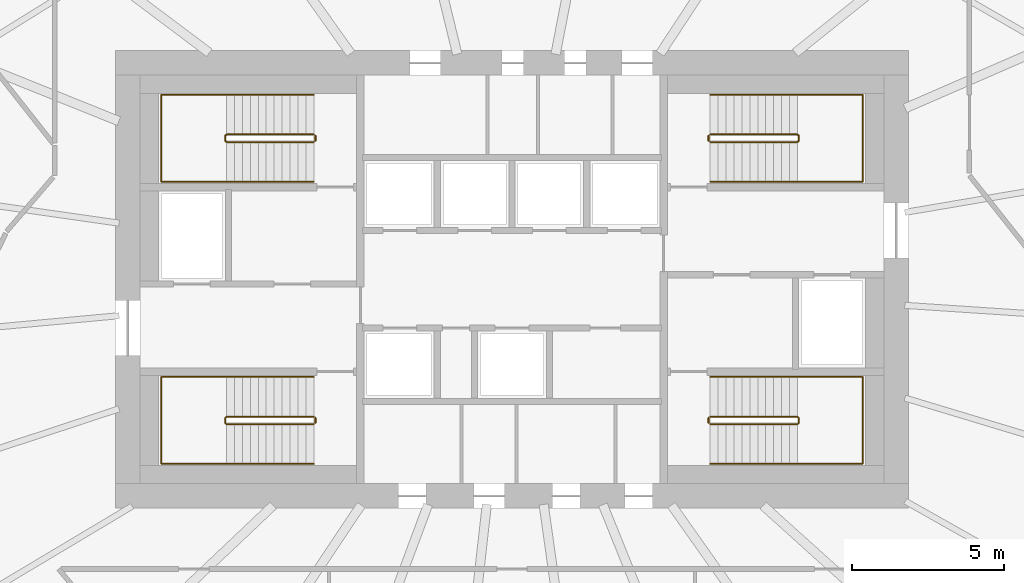
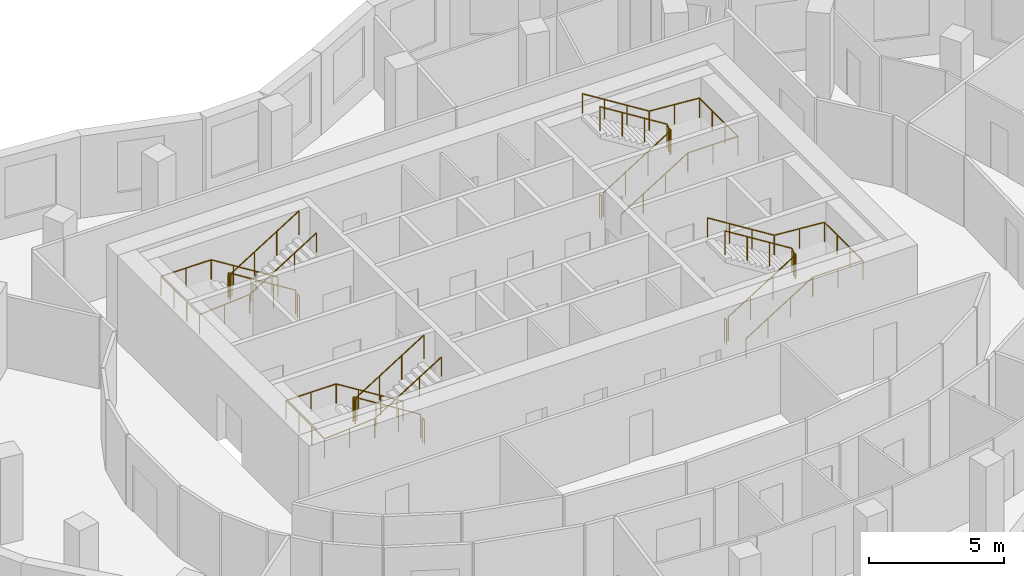
# One storey, part 9 of 9: 12 railings.
"""IFC4 building model written with IfcOpenShell, lengths in metres."""

from ifc_helpers import new_model, si_unit, direction, frame, origin, origin_2d, place, context, subcontext, project, spatial, circle, extrude, material, type_object, element, save


model = new_model("IFC4")

# Units and contexts
model_context = context("Model", 3, precision=1e-05, world=origin(), true_north=direction((0.0, 1.0)))
body_context = subcontext(model_context, "Body", "Model", "MODEL_VIEW")
ifc_project = project(units=[si_unit("LENGTHUNIT", "METRE"), si_unit("AREAUNIT", "SQUARE_METRE"), si_unit("VOLUMEUNIT", "CUBIC_METRE"), si_unit("PLANEANGLEUNIT", "RADIAN"), si_unit("MASSUNIT", "GRAM", prefix="KILO")], contexts=[model_context])

# Site, building, storey
site_placement = place(None, origin())
site = spatial("IfcSite", under=ifc_project, at=site_placement, CompositionType="ELEMENT")
building_placement = place(site_placement, origin())
building = spatial("IfcBuilding", under=site, at=building_placement, Name="Rubra Terraces Tower", CompositionType="ELEMENT")
storey_placement = place(building_placement, frame((0.0, 0.0, 284.39990234375)))
storey = spatial("IfcBuildingStorey", under=building, at=storey_placement, Name="L70", CompositionType="ELEMENT", Elevation=284.39990234375)

# Railings
ifc_material = material(Name="Stainless steel", Category="steel")
railing_type_1 = type_object("IfcRailingType", Name="Core stair guard 1100", PredefinedType="GUARDRAIL", material=ifc_material)
railing_1_placement = place(storey_placement, frame((-6.5, 0.0, 0.16259765625)))
element("IfcRailing", 1, at=railing_1_placement, inside=storey, type_object=railing_type_1, Name="L70 stair S1 guard 1", PredefinedType="GUARDRAIL", context=body_context, shape_type="SweptSolid", body=[
    extrude(circle(Radius=0.02392578125, at=origin_2d()), frame((0.0, 0.0, 1.076171875), z_axis=(-0.847994237388, 0.0, 0.530005446535), x_axis=(0.0, -1.0, 0.0)), (0.0, 0.0, 1.0), 3.372802734375),
    extrude(circle(Radius=0.02392578125, at=origin_2d()), frame((-2.860107421875, 0.0, 2.86376953125), z_axis=(-0.705375805398, -0.708833529934, 0.0), x_axis=(0.708833529934, -0.705375805398, 0.0)), (0.0, 0.0, 1.0), 0.070556640625),
    extrude(circle(Radius=0.02392578125, at=origin_2d()), frame((-2.909912109375, -0.050048828125, 2.86376953125), z_axis=(0.0, -1.0, 0.0), x_axis=(1.0, 0.0, 0.0)), (0.0, 0.0, 1.0), 0.14990234375),
    extrude(circle(Radius=0.02392578125, at=origin_2d()), frame((-2.909912109375, -0.199951171875, 2.86376953125), z_axis=(0.281314826061, -0.282693820306, 0.917031173188), x_axis=(0.708833529934, 0.705375805398, 0.0)), (0.0, 0.0, 1.0), 0.177001953125),
    extrude(circle(Radius=0.02392578125, at=origin_2d()), frame((-2.860107421875, -0.25, 3.02587890625), z_axis=(0.847994237388, 0.0, 0.530005446535), x_axis=(0.0, 1.0, 0.0)), (0.0, 0.0, 1.0), 3.372802734375),
    extrude(circle(Radius=0.02099609375, at=origin_2d()), origin(), (0.0, 0.0, 1.0), 1.052001953125),
    extrude(circle(Radius=0.02099609375, at=origin_2d()), frame((-0.953369140625, 0.0, 0.595947265625)), (0.0, 0.0, 1.0), 1.052001953125),
    extrude(circle(Radius=0.02099609375, at=origin_2d()), frame((-1.90673828125, 0.0, 1.191650390625)), (0.0, 0.0, 1.0), 1.052001953125),
    extrude(circle(Radius=0.02099609375, at=origin_2d()), frame((-2.860107421875, 0.0, 1.78759765625)), (0.0, 0.0, 1.0), 1.052001953125),
    extrude(circle(Radius=0.02099609375, at=origin_2d()), frame((-2.909912109375, -0.050048828125, 1.78759765625)), (0.0, 0.0, 1.0), 1.052001953125),
    extrude(circle(Radius=0.02099609375, at=origin_2d()), frame((-2.909912109375, -0.199951171875, 1.78759765625)), (0.0, 0.0, 1.0), 1.052001953125),
    extrude(circle(Radius=0.02099609375, at=origin_2d()), frame((-2.860107421875, -0.25, 1.949951171875)), (0.0, 0.0, 1.0), 1.052001953125),
    extrude(circle(Radius=0.02099609375, at=origin_2d()), frame((-1.90673828125, -0.25, 2.5458984375)), (0.0, 0.0, 1.0), 1.052001953125),
    extrude(circle(Radius=0.02099609375, at=origin_2d()), frame((-0.953369140625, -0.25, 3.1416015625)), (0.0, 0.0, 1.0), 1.052001953125),
    extrude(circle(Radius=0.02099609375, at=origin_2d()), frame((0.0, -0.25, 3.737548828125)), (0.0, 0.0, 1.0), 1.052001953125),
])
railing_2_placement = place(storey_placement, frame((-6.449951171875, -0.050048828125, 0.0)))
element("IfcRailing", 2, at=railing_2_placement, inside=storey, type_object=railing_type_1, Name="L70 stair S1 guard 2", PredefinedType="GUARDRAIL", context=body_context, shape_type="SweptSolid", body=[
    extrude(circle(Radius=0.02392578125, at=origin_2d()), frame((0.0, 0.0, 1.076171875), z_axis=(0.0, -1.0, 0.0), x_axis=(1.0, 0.0, 0.0)), (0.0, 0.0, 1.0), 0.14990234375),
    extrude(circle(Radius=0.02099609375, at=origin_2d()), origin(), (0.0, 0.0, 1.0), 1.052001953125),
    extrude(circle(Radius=0.02099609375, at=origin_2d()), frame((0.0, -0.14990234375, 0.0)), (0.0, 0.0, 1.0), 1.052001953125),
])
railing_3_placement = place(storey_placement, frame((-6.5, 9.25, 0.16259765625)))
element("IfcRailing", 3, at=railing_3_placement, inside=storey, type_object=railing_type_1, Name="L70 stair S2 guard 1", PredefinedType="GUARDRAIL", context=body_context, shape_type="SweptSolid", body=[
    extrude(circle(Radius=0.02392578125, at=origin_2d()), frame((0.0, 0.0, 1.076171875), z_axis=(-0.847994237388, 0.0, 0.530005446535), x_axis=(0.0, -1.0, 0.0)), (0.0, 0.0, 1.0), 3.372802734375),
    extrude(circle(Radius=0.02392578125, at=origin_2d()), frame((-2.860107421875, 0.0, 2.86376953125), z_axis=(-0.705375805398, -0.708833529934, 0.0), x_axis=(0.708833529934, -0.705375805398, 0.0)), (0.0, 0.0, 1.0), 0.070556640625),
    extrude(circle(Radius=0.02392578125, at=origin_2d()), frame((-2.909912109375, -0.050048828125, 2.86376953125), z_axis=(0.0, -1.0, 0.0), x_axis=(1.0, 0.0, 0.0)), (0.0, 0.0, 1.0), 0.14990234375),
    extrude(circle(Radius=0.02392578125, at=origin_2d()), frame((-2.909912109375, -0.199951171875, 2.86376953125), z_axis=(0.281314826061, -0.282693820306, 0.917031173188), x_axis=(0.708833529934, 0.705375805398, 0.0)), (0.0, 0.0, 1.0), 0.177001953125),
    extrude(circle(Radius=0.02392578125, at=origin_2d()), frame((-2.860107421875, -0.25, 3.02587890625), z_axis=(0.847994237388, 0.0, 0.530005446535), x_axis=(0.0, 1.0, 0.0)), (0.0, 0.0, 1.0), 3.372802734375),
    extrude(circle(Radius=0.02099609375, at=origin_2d()), origin(), (0.0, 0.0, 1.0), 1.052001953125),
    extrude(circle(Radius=0.02099609375, at=origin_2d()), frame((-0.953369140625, 0.0, 0.595947265625)), (0.0, 0.0, 1.0), 1.052001953125),
    extrude(circle(Radius=0.02099609375, at=origin_2d()), frame((-1.90673828125, 0.0, 1.191650390625)), (0.0, 0.0, 1.0), 1.052001953125),
    extrude(circle(Radius=0.02099609375, at=origin_2d()), frame((-2.860107421875, 0.0, 1.78759765625)), (0.0, 0.0, 1.0), 1.052001953125),
    extrude(circle(Radius=0.02099609375, at=origin_2d()), frame((-2.909912109375, -0.050048828125, 1.78759765625)), (0.0, 0.0, 1.0), 1.052001953125),
    extrude(circle(Radius=0.02099609375, at=origin_2d()), frame((-2.909912109375, -0.199951171875, 1.78759765625)), (0.0, 0.0, 1.0), 1.052001953125),
    extrude(circle(Radius=0.02099609375, at=origin_2d()), frame((-2.860107421875, -0.25, 1.949951171875)), (0.0, 0.0, 1.0), 1.052001953125),
    extrude(circle(Radius=0.02099609375, at=origin_2d()), frame((-1.90673828125, -0.25, 2.5458984375)), (0.0, 0.0, 1.0), 1.052001953125),
    extrude(circle(Radius=0.02099609375, at=origin_2d()), frame((-0.953369140625, -0.25, 3.1416015625)), (0.0, 0.0, 1.0), 1.052001953125),
    extrude(circle(Radius=0.02099609375, at=origin_2d()), frame((0.0, -0.25, 3.737548828125)), (0.0, 0.0, 1.0), 1.052001953125),
])
railing_4_placement = place(storey_placement, frame((-6.449951171875, 9.199951171875, 0.0)))
element("IfcRailing", 4, at=railing_4_placement, inside=storey, type_object=railing_type_1, Name="L70 stair S2 guard 2", PredefinedType="GUARDRAIL", context=body_context, shape_type="SweptSolid", body=[
    extrude(circle(Radius=0.02392578125, at=origin_2d()), frame((0.0, 0.0, 1.076171875), z_axis=(0.0, -1.0, 0.0), x_axis=(1.0, 0.0, 0.0)), (0.0, 0.0, 1.0), 0.14990234375),
    extrude(circle(Radius=0.02099609375, at=origin_2d()), origin(), (0.0, 0.0, 1.0), 1.052001953125),
    extrude(circle(Radius=0.02099609375, at=origin_2d()), frame((0.0, -0.14990234375, 0.0)), (0.0, 0.0, 1.0), 1.052001953125),
])
railing_5_placement = place(storey_placement, frame((6.5, 9.0, 0.16259765625)))
element("IfcRailing", 5, at=railing_5_placement, inside=storey, type_object=railing_type_1, Name="L70 stair S3 guard 1", PredefinedType="GUARDRAIL", context=body_context, shape_type="SweptSolid", body=[
    extrude(circle(Radius=0.02392578125, at=origin_2d()), frame((0.0, 0.0, 1.076171875), z_axis=(0.847994237388, 0.0, 0.530005446535), x_axis=(0.0, 1.0, 0.0)), (0.0, 0.0, 1.0), 3.372802734375),
    extrude(circle(Radius=0.02392578125, at=origin_2d()), frame((2.860107421875, 0.0, 2.86376953125), z_axis=(0.705375805398, 0.708833529934, 0.0), x_axis=(-0.708833529934, 0.705375805398, 0.0)), (0.0, 0.0, 1.0), 0.070556640625),
    extrude(circle(Radius=0.02392578125, at=origin_2d()), frame((2.909912109375, 0.050048828125, 2.86376953125), z_axis=(0.0, 1.0, 0.0), x_axis=(-1.0, 0.0, 0.0)), (0.0, 0.0, 1.0), 0.14990234375),
    extrude(circle(Radius=0.02392578125, at=origin_2d()), frame((2.909912109375, 0.199951171875, 2.86376953125), z_axis=(-0.281314826061, 0.282693820306, 0.917031173188), x_axis=(-0.708833529934, -0.705375805398, 0.0)), (0.0, 0.0, 1.0), 0.177001953125),
    extrude(circle(Radius=0.02392578125, at=origin_2d()), frame((2.860107421875, 0.25, 3.02587890625), z_axis=(-0.847994237388, 0.0, 0.530005446535), x_axis=(0.0, -1.0, 0.0)), (0.0, 0.0, 1.0), 3.372802734375),
    extrude(circle(Radius=0.02099609375, at=origin_2d()), origin(), (0.0, 0.0, 1.0), 1.052001953125),
    extrude(circle(Radius=0.02099609375, at=origin_2d()), frame((0.953369140625, 0.0, 0.595947265625)), (0.0, 0.0, 1.0), 1.052001953125),
    extrude(circle(Radius=0.02099609375, at=origin_2d()), frame((1.90673828125, 0.0, 1.191650390625)), (0.0, 0.0, 1.0), 1.052001953125),
    extrude(circle(Radius=0.02099609375, at=origin_2d()), frame((2.860107421875, 0.0, 1.78759765625)), (0.0, 0.0, 1.0), 1.052001953125),
    extrude(circle(Radius=0.02099609375, at=origin_2d()), frame((2.909912109375, 0.050048828125, 1.78759765625)), (0.0, 0.0, 1.0), 1.052001953125),
    extrude(circle(Radius=0.02099609375, at=origin_2d()), frame((2.909912109375, 0.199951171875, 1.78759765625)), (0.0, 0.0, 1.0), 1.052001953125),
    extrude(circle(Radius=0.02099609375, at=origin_2d()), frame((2.860107421875, 0.25, 1.949951171875)), (0.0, 0.0, 1.0), 1.052001953125),
    extrude(circle(Radius=0.02099609375, at=origin_2d()), frame((1.90673828125, 0.25, 2.5458984375)), (0.0, 0.0, 1.0), 1.052001953125),
    extrude(circle(Radius=0.02099609375, at=origin_2d()), frame((0.953369140625, 0.25, 3.1416015625)), (0.0, 0.0, 1.0), 1.052001953125),
    extrude(circle(Radius=0.02099609375, at=origin_2d()), frame((0.0, 0.25, 3.737548828125)), (0.0, 0.0, 1.0), 1.052001953125),
])
railing_6_placement = place(storey_placement, frame((6.449951171875, 9.050048828125, 0.0)))
element("IfcRailing", 6, at=railing_6_placement, inside=storey, type_object=railing_type_1, Name="L70 stair S3 guard 2", PredefinedType="GUARDRAIL", context=body_context, shape_type="SweptSolid", body=[
    extrude(circle(Radius=0.02392578125, at=origin_2d()), frame((0.0, 0.0, 1.076171875), z_axis=(0.0, 1.0, 0.0), x_axis=(-1.0, 0.0, 0.0)), (0.0, 0.0, 1.0), 0.14990234375),
    extrude(circle(Radius=0.02099609375, at=origin_2d()), origin(), (0.0, 0.0, 1.0), 1.052001953125),
    extrude(circle(Radius=0.02099609375, at=origin_2d()), frame((0.0, 0.14990234375, 0.0)), (0.0, 0.0, 1.0), 1.052001953125),
])
railing_7_placement = place(storey_placement, frame((6.5, -0.25, 0.16259765625)))
element("IfcRailing", 7, at=railing_7_placement, inside=storey, type_object=railing_type_1, Name="L70 stair S4 guard 1", PredefinedType="GUARDRAIL", context=body_context, shape_type="SweptSolid", body=[
    extrude(circle(Radius=0.02392578125, at=origin_2d()), frame((0.0, 0.0, 1.076171875), z_axis=(0.847994237388, 0.0, 0.530005446535), x_axis=(0.0, 1.0, 0.0)), (0.0, 0.0, 1.0), 3.372802734375),
    extrude(circle(Radius=0.02392578125, at=origin_2d()), frame((2.860107421875, 0.0, 2.86376953125), z_axis=(0.705375805398, 0.708833529934, 0.0), x_axis=(-0.708833529934, 0.705375805398, 0.0)), (0.0, 0.0, 1.0), 0.070556640625),
    extrude(circle(Radius=0.02392578125, at=origin_2d()), frame((2.909912109375, 0.050048828125, 2.86376953125), z_axis=(0.0, 1.0, 0.0), x_axis=(-1.0, 0.0, 0.0)), (0.0, 0.0, 1.0), 0.14990234375),
    extrude(circle(Radius=0.02392578125, at=origin_2d()), frame((2.909912109375, 0.199951171875, 2.86376953125), z_axis=(-0.281314826061, 0.282693820306, 0.917031173188), x_axis=(-0.708833529934, -0.705375805398, 0.0)), (0.0, 0.0, 1.0), 0.177001953125),
    extrude(circle(Radius=0.02392578125, at=origin_2d()), frame((2.860107421875, 0.25, 3.02587890625), z_axis=(-0.847994237388, 0.0, 0.530005446535), x_axis=(0.0, -1.0, 0.0)), (0.0, 0.0, 1.0), 3.372802734375),
    extrude(circle(Radius=0.02099609375, at=origin_2d()), origin(), (0.0, 0.0, 1.0), 1.052001953125),
    extrude(circle(Radius=0.02099609375, at=origin_2d()), frame((0.953369140625, 0.0, 0.595947265625)), (0.0, 0.0, 1.0), 1.052001953125),
    extrude(circle(Radius=0.02099609375, at=origin_2d()), frame((1.90673828125, 0.0, 1.191650390625)), (0.0, 0.0, 1.0), 1.052001953125),
    extrude(circle(Radius=0.02099609375, at=origin_2d()), frame((2.860107421875, 0.0, 1.78759765625)), (0.0, 0.0, 1.0), 1.052001953125),
    extrude(circle(Radius=0.02099609375, at=origin_2d()), frame((2.909912109375, 0.050048828125, 1.78759765625)), (0.0, 0.0, 1.0), 1.052001953125),
    extrude(circle(Radius=0.02099609375, at=origin_2d()), frame((2.909912109375, 0.199951171875, 1.78759765625)), (0.0, 0.0, 1.0), 1.052001953125),
    extrude(circle(Radius=0.02099609375, at=origin_2d()), frame((2.860107421875, 0.25, 1.949951171875)), (0.0, 0.0, 1.0), 1.052001953125),
    extrude(circle(Radius=0.02099609375, at=origin_2d()), frame((1.90673828125, 0.25, 2.5458984375)), (0.0, 0.0, 1.0), 1.052001953125),
    extrude(circle(Radius=0.02099609375, at=origin_2d()), frame((0.953369140625, 0.25, 3.1416015625)), (0.0, 0.0, 1.0), 1.052001953125),
    extrude(circle(Radius=0.02099609375, at=origin_2d()), frame((0.0, 0.25, 3.737548828125)), (0.0, 0.0, 1.0), 1.052001953125),
])
railing_8_placement = place(storey_placement, frame((6.449951171875, -0.199951171875, 0.0)))
element("IfcRailing", 8, at=railing_8_placement, inside=storey, type_object=railing_type_1, Name="L70 stair S4 guard 2", PredefinedType="GUARDRAIL", context=body_context, shape_type="SweptSolid", body=[
    extrude(circle(Radius=0.02392578125, at=origin_2d()), frame((0.0, 0.0, 1.076171875), z_axis=(0.0, 1.0, 0.0), x_axis=(-1.0, 0.0, 0.0)), (0.0, 0.0, 1.0), 0.14990234375),
    extrude(circle(Radius=0.02099609375, at=origin_2d()), origin(), (0.0, 0.0, 1.0), 1.052001953125),
    extrude(circle(Radius=0.02099609375, at=origin_2d()), frame((0.0, 0.14990234375, 0.0)), (0.0, 0.0, 1.0), 1.052001953125),
])
railing_type_2 = type_object("IfcRailingType", Name="Core stair handrail 900", PredefinedType="HANDRAIL", material=ifc_material)
railing_9_placement = place(storey_placement, frame((-6.5, 1.300048828125, 0.16259765625)))
element("IfcRailing", 9, at=railing_9_placement, inside=storey, type_object=railing_type_2, Name="L70 stair S1 handrail 1", PredefinedType="HANDRAIL", context=body_context, shape_type="SweptSolid", body=[
    extrude(circle(Radius=0.02392578125, at=origin_2d()), frame((0.0, 0.0, 0.8759765625), z_axis=(-0.847994237388, 0.0, 0.530005446535), x_axis=(0.0, -1.0, 0.0)), (0.0, 0.0, 1.0), 3.372802734375),
    extrude(circle(Radius=0.02392578125, at=origin_2d()), frame((-2.860107421875, 0.0, 2.66357421875), z_axis=(-1.0, 0.0, 0.0), x_axis=(0.0, -1.0, 0.0)), (0.0, 0.0, 1.0), 2.139892578125),
    extrude(circle(Radius=0.02392578125, at=origin_2d()), frame((-5.0, 0.0, 2.66357421875), z_axis=(0.0, -1.0, 0.0), x_axis=(1.0, 0.0, 0.0)), (0.0, 0.0, 1.0), 2.85009765625),
    extrude(circle(Radius=0.02392578125, at=origin_2d()), frame((-5.0, -2.85009765625, 2.66357421875), z_axis=(0.9971342424, 0.0, 0.075652512401), x_axis=(0.0, 1.0, 0.0)), (0.0, 0.0, 1.0), 2.14599609375),
    extrude(circle(Radius=0.02392578125, at=origin_2d()), frame((-2.860107421875, -2.85009765625, 2.82568359375), z_axis=(0.847994237388, 0.0, 0.530005446535), x_axis=(0.0, 1.0, 0.0)), (0.0, 0.0, 1.0), 3.372802734375),
    extrude(circle(Radius=0.02099609375, at=origin_2d()), origin(), (0.0, 0.0, 1.0), 0.851806640625),
    extrude(circle(Radius=0.02099609375, at=origin_2d()), frame((-0.953369140625, 0.0, 0.595947265625)), (0.0, 0.0, 1.0), 0.851806640625),
    extrude(circle(Radius=0.02099609375, at=origin_2d()), frame((-1.90673828125, 0.0, 1.191650390625)), (0.0, 0.0, 1.0), 0.851806640625),
    extrude(circle(Radius=0.02099609375, at=origin_2d()), frame((-2.860107421875, 0.0, 1.78759765625)), (0.0, 0.0, 1.0), 0.851806640625),
    extrude(circle(Radius=0.02099609375, at=origin_2d()), frame((-3.93017578125, 0.0, 1.78759765625)), (0.0, 0.0, 1.0), 0.851806640625),
    extrude(circle(Radius=0.02099609375, at=origin_2d()), frame((-5.0, 0.0, 1.78759765625)), (0.0, 0.0, 1.0), 0.851806640625),
    extrude(circle(Radius=0.02099609375, at=origin_2d()), frame((-5.0, -0.949951171875, 1.78759765625)), (0.0, 0.0, 1.0), 0.851806640625),
    extrude(circle(Radius=0.02099609375, at=origin_2d()), frame((-5.0, -1.900146484375, 1.78759765625)), (0.0, 0.0, 1.0), 0.851806640625),
    extrude(circle(Radius=0.02099609375, at=origin_2d()), frame((-5.0, -2.85009765625, 1.78759765625)), (0.0, 0.0, 1.0), 0.851806640625),
    extrude(circle(Radius=0.02099609375, at=origin_2d()), frame((-3.93017578125, -2.85009765625, 1.86865234375)), (0.0, 0.0, 1.0), 0.851806640625),
    extrude(circle(Radius=0.02099609375, at=origin_2d()), frame((-2.860107421875, -2.85009765625, 1.949951171875)), (0.0, 0.0, 1.0), 0.851806640625),
    extrude(circle(Radius=0.02099609375, at=origin_2d()), frame((-1.90673828125, -2.85009765625, 2.5458984375)), (0.0, 0.0, 1.0), 0.851806640625),
    extrude(circle(Radius=0.02099609375, at=origin_2d()), frame((-0.953369140625, -2.85009765625, 3.1416015625)), (0.0, 0.0, 1.0), 0.851806640625),
    extrude(circle(Radius=0.02099609375, at=origin_2d()), frame((0.0, -2.85009765625, 3.737548828125)), (0.0, 0.0, 1.0), 0.851806640625),
])
railing_10_placement = place(storey_placement, frame((-6.5, 10.550048828125, 0.16259765625)))
element("IfcRailing", 10, at=railing_10_placement, inside=storey, type_object=railing_type_2, Name="L70 stair S2 handrail 1", PredefinedType="HANDRAIL", context=body_context, shape_type="SweptSolid", body=[
    extrude(circle(Radius=0.02392578125, at=origin_2d()), frame((0.0, 0.0, 0.8759765625), z_axis=(-0.847994237388, 0.0, 0.530005446535), x_axis=(0.0, -1.0, 0.0)), (0.0, 0.0, 1.0), 3.372802734375),
    extrude(circle(Radius=0.02392578125, at=origin_2d()), frame((-2.860107421875, 0.0, 2.66357421875), z_axis=(-1.0, 0.0, 0.0), x_axis=(0.0, -1.0, 0.0)), (0.0, 0.0, 1.0), 2.139892578125),
    extrude(circle(Radius=0.02392578125, at=origin_2d()), frame((-5.0, 0.0, 2.66357421875), z_axis=(0.0, -1.0, 0.0), x_axis=(1.0, 0.0, 0.0)), (0.0, 0.0, 1.0), 2.85009765625),
    extrude(circle(Radius=0.02392578125, at=origin_2d()), frame((-5.0, -2.85009765625, 2.66357421875), z_axis=(0.9971342424, 0.0, 0.075652512401), x_axis=(0.0, 1.0, 0.0)), (0.0, 0.0, 1.0), 2.14599609375),
    extrude(circle(Radius=0.02392578125, at=origin_2d()), frame((-2.860107421875, -2.85009765625, 2.82568359375), z_axis=(0.847994237388, 0.0, 0.530005446535), x_axis=(0.0, 1.0, 0.0)), (0.0, 0.0, 1.0), 3.372802734375),
    extrude(circle(Radius=0.02099609375, at=origin_2d()), origin(), (0.0, 0.0, 1.0), 0.851806640625),
    extrude(circle(Radius=0.02099609375, at=origin_2d()), frame((-0.953369140625, 0.0, 0.595947265625)), (0.0, 0.0, 1.0), 0.851806640625),
    extrude(circle(Radius=0.02099609375, at=origin_2d()), frame((-1.90673828125, 0.0, 1.191650390625)), (0.0, 0.0, 1.0), 0.851806640625),
    extrude(circle(Radius=0.02099609375, at=origin_2d()), frame((-2.860107421875, 0.0, 1.78759765625)), (0.0, 0.0, 1.0), 0.851806640625),
    extrude(circle(Radius=0.02099609375, at=origin_2d()), frame((-3.93017578125, 0.0, 1.78759765625)), (0.0, 0.0, 1.0), 0.851806640625),
    extrude(circle(Radius=0.02099609375, at=origin_2d()), frame((-5.0, 0.0, 1.78759765625)), (0.0, 0.0, 1.0), 0.851806640625),
    extrude(circle(Radius=0.02099609375, at=origin_2d()), frame((-5.0, -0.949951171875, 1.78759765625)), (0.0, 0.0, 1.0), 0.851806640625),
    extrude(circle(Radius=0.02099609375, at=origin_2d()), frame((-5.0, -1.900146484375, 1.78759765625)), (0.0, 0.0, 1.0), 0.851806640625),
    extrude(circle(Radius=0.02099609375, at=origin_2d()), frame((-5.0, -2.85009765625, 1.78759765625)), (0.0, 0.0, 1.0), 0.851806640625),
    extrude(circle(Radius=0.02099609375, at=origin_2d()), frame((-3.93017578125, -2.85009765625, 1.86865234375)), (0.0, 0.0, 1.0), 0.851806640625),
    extrude(circle(Radius=0.02099609375, at=origin_2d()), frame((-2.860107421875, -2.85009765625, 1.949951171875)), (0.0, 0.0, 1.0), 0.851806640625),
    extrude(circle(Radius=0.02099609375, at=origin_2d()), frame((-1.90673828125, -2.85009765625, 2.5458984375)), (0.0, 0.0, 1.0), 0.851806640625),
    extrude(circle(Radius=0.02099609375, at=origin_2d()), frame((-0.953369140625, -2.85009765625, 3.1416015625)), (0.0, 0.0, 1.0), 0.851806640625),
    extrude(circle(Radius=0.02099609375, at=origin_2d()), frame((0.0, -2.85009765625, 3.737548828125)), (0.0, 0.0, 1.0), 0.851806640625),
])
railing_11_placement = place(storey_placement, frame((6.5, 7.699951171875, 0.16259765625)))
element("IfcRailing", 11, at=railing_11_placement, inside=storey, type_object=railing_type_2, Name="L70 stair S3 handrail 1", PredefinedType="HANDRAIL", context=body_context, shape_type="SweptSolid", body=[
    extrude(circle(Radius=0.02392578125, at=origin_2d()), frame((0.0, 0.0, 0.8759765625), z_axis=(0.847994237388, 0.0, 0.530005446535), x_axis=(0.0, 1.0, 0.0)), (0.0, 0.0, 1.0), 3.372802734375),
    extrude(circle(Radius=0.02392578125, at=origin_2d()), frame((2.860107421875, 0.0, 2.66357421875), z_axis=(1.0, 0.0, 0.0), x_axis=(0.0, 1.0, 0.0)), (0.0, 0.0, 1.0), 2.139892578125),
    extrude(circle(Radius=0.02392578125, at=origin_2d()), frame((5.0, 0.0, 2.66357421875), z_axis=(0.0, 1.0, 0.0), x_axis=(-1.0, 0.0, 0.0)), (0.0, 0.0, 1.0), 2.85009765625),
    extrude(circle(Radius=0.02392578125, at=origin_2d()), frame((5.0, 2.85009765625, 2.66357421875), z_axis=(-0.9971342424, 0.0, 0.075652512401), x_axis=(0.0, -1.0, 0.0)), (0.0, 0.0, 1.0), 2.14599609375),
    extrude(circle(Radius=0.02392578125, at=origin_2d()), frame((2.860107421875, 2.85009765625, 2.82568359375), z_axis=(-0.847994237388, 0.0, 0.530005446535), x_axis=(0.0, -1.0, 0.0)), (0.0, 0.0, 1.0), 3.372802734375),
    extrude(circle(Radius=0.02099609375, at=origin_2d()), origin(), (0.0, 0.0, 1.0), 0.851806640625),
    extrude(circle(Radius=0.02099609375, at=origin_2d()), frame((0.953369140625, 0.0, 0.595947265625)), (0.0, 0.0, 1.0), 0.851806640625),
    extrude(circle(Radius=0.02099609375, at=origin_2d()), frame((1.90673828125, 0.0, 1.191650390625)), (0.0, 0.0, 1.0), 0.851806640625),
    extrude(circle(Radius=0.02099609375, at=origin_2d()), frame((2.860107421875, 0.0, 1.78759765625)), (0.0, 0.0, 1.0), 0.851806640625),
    extrude(circle(Radius=0.02099609375, at=origin_2d()), frame((3.93017578125, 0.0, 1.78759765625)), (0.0, 0.0, 1.0), 0.851806640625),
    extrude(circle(Radius=0.02099609375, at=origin_2d()), frame((5.0, 0.0, 1.78759765625)), (0.0, 0.0, 1.0), 0.851806640625),
    extrude(circle(Radius=0.02099609375, at=origin_2d()), frame((5.0, 0.949951171875, 1.78759765625)), (0.0, 0.0, 1.0), 0.851806640625),
    extrude(circle(Radius=0.02099609375, at=origin_2d()), frame((5.0, 1.900146484375, 1.78759765625)), (0.0, 0.0, 1.0), 0.851806640625),
    extrude(circle(Radius=0.02099609375, at=origin_2d()), frame((5.0, 2.85009765625, 1.78759765625)), (0.0, 0.0, 1.0), 0.851806640625),
    extrude(circle(Radius=0.02099609375, at=origin_2d()), frame((3.93017578125, 2.85009765625, 1.86865234375)), (0.0, 0.0, 1.0), 0.851806640625),
    extrude(circle(Radius=0.02099609375, at=origin_2d()), frame((2.860107421875, 2.85009765625, 1.949951171875)), (0.0, 0.0, 1.0), 0.851806640625),
    extrude(circle(Radius=0.02099609375, at=origin_2d()), frame((1.90673828125, 2.85009765625, 2.5458984375)), (0.0, 0.0, 1.0), 0.851806640625),
    extrude(circle(Radius=0.02099609375, at=origin_2d()), frame((0.953369140625, 2.85009765625, 3.1416015625)), (0.0, 0.0, 1.0), 0.851806640625),
    extrude(circle(Radius=0.02099609375, at=origin_2d()), frame((0.0, 2.85009765625, 3.737548828125)), (0.0, 0.0, 1.0), 0.851806640625),
])
railing_12_placement = place(storey_placement, frame((6.5, -1.550048828125, 0.16259765625)))
element("IfcRailing", 12, at=railing_12_placement, inside=storey, type_object=railing_type_2, Name="L70 stair S4 handrail 1", PredefinedType="HANDRAIL", context=body_context, shape_type="SweptSolid", body=[
    extrude(circle(Radius=0.02392578125, at=origin_2d()), frame((0.0, 0.0, 0.8759765625), z_axis=(0.847994237388, 0.0, 0.530005446535), x_axis=(0.0, 1.0, 0.0)), (0.0, 0.0, 1.0), 3.372802734375),
    extrude(circle(Radius=0.02392578125, at=origin_2d()), frame((2.860107421875, 0.0, 2.66357421875), z_axis=(1.0, 0.0, 0.0), x_axis=(0.0, 1.0, 0.0)), (0.0, 0.0, 1.0), 2.139892578125),
    extrude(circle(Radius=0.02392578125, at=origin_2d()), frame((5.0, 0.0, 2.66357421875), z_axis=(0.0, 1.0, 0.0), x_axis=(-1.0, 0.0, 0.0)), (0.0, 0.0, 1.0), 2.85009765625),
    extrude(circle(Radius=0.02392578125, at=origin_2d()), frame((5.0, 2.85009765625, 2.66357421875), z_axis=(-0.9971342424, 0.0, 0.075652512401), x_axis=(0.0, -1.0, 0.0)), (0.0, 0.0, 1.0), 2.14599609375),
    extrude(circle(Radius=0.02392578125, at=origin_2d()), frame((2.860107421875, 2.85009765625, 2.82568359375), z_axis=(-0.847994237388, 0.0, 0.530005446535), x_axis=(0.0, -1.0, 0.0)), (0.0, 0.0, 1.0), 3.372802734375),
    extrude(circle(Radius=0.02099609375, at=origin_2d()), origin(), (0.0, 0.0, 1.0), 0.851806640625),
    extrude(circle(Radius=0.02099609375, at=origin_2d()), frame((0.953369140625, 0.0, 0.595947265625)), (0.0, 0.0, 1.0), 0.851806640625),
    extrude(circle(Radius=0.02099609375, at=origin_2d()), frame((1.90673828125, 0.0, 1.191650390625)), (0.0, 0.0, 1.0), 0.851806640625),
    extrude(circle(Radius=0.02099609375, at=origin_2d()), frame((2.860107421875, 0.0, 1.78759765625)), (0.0, 0.0, 1.0), 0.851806640625),
    extrude(circle(Radius=0.02099609375, at=origin_2d()), frame((3.93017578125, 0.0, 1.78759765625)), (0.0, 0.0, 1.0), 0.851806640625),
    extrude(circle(Radius=0.02099609375, at=origin_2d()), frame((5.0, 0.0, 1.78759765625)), (0.0, 0.0, 1.0), 0.851806640625),
    extrude(circle(Radius=0.02099609375, at=origin_2d()), frame((5.0, 0.949951171875, 1.78759765625)), (0.0, 0.0, 1.0), 0.851806640625),
    extrude(circle(Radius=0.02099609375, at=origin_2d()), frame((5.0, 1.900146484375, 1.78759765625)), (0.0, 0.0, 1.0), 0.851806640625),
    extrude(circle(Radius=0.02099609375, at=origin_2d()), frame((5.0, 2.85009765625, 1.78759765625)), (0.0, 0.0, 1.0), 0.851806640625),
    extrude(circle(Radius=0.02099609375, at=origin_2d()), frame((3.93017578125, 2.85009765625, 1.86865234375)), (0.0, 0.0, 1.0), 0.851806640625),
    extrude(circle(Radius=0.02099609375, at=origin_2d()), frame((2.860107421875, 2.85009765625, 1.949951171875)), (0.0, 0.0, 1.0), 0.851806640625),
    extrude(circle(Radius=0.02099609375, at=origin_2d()), frame((1.90673828125, 2.85009765625, 2.5458984375)), (0.0, 0.0, 1.0), 0.851806640625),
    extrude(circle(Radius=0.02099609375, at=origin_2d()), frame((0.953369140625, 2.85009765625, 3.1416015625)), (0.0, 0.0, 1.0), 0.851806640625),
    extrude(circle(Radius=0.02099609375, at=origin_2d()), frame((0.0, 2.85009765625, 3.737548828125)), (0.0, 0.0, 1.0), 0.851806640625),
])

save(model, "model.ifc")
